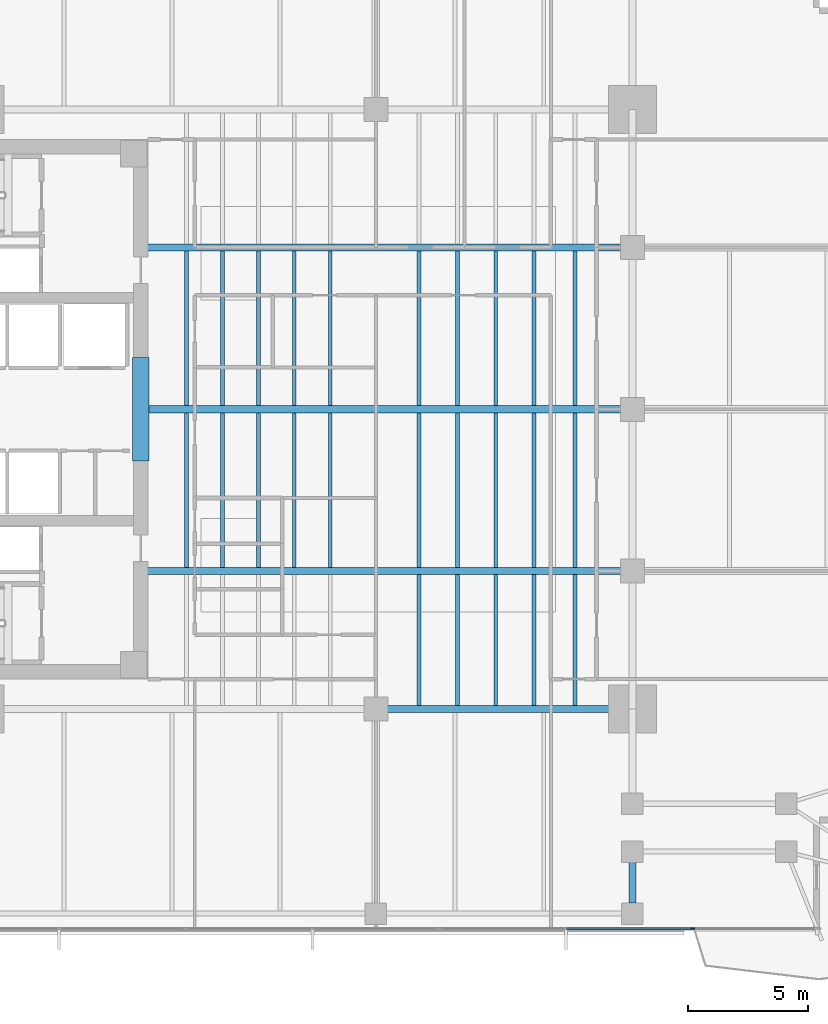
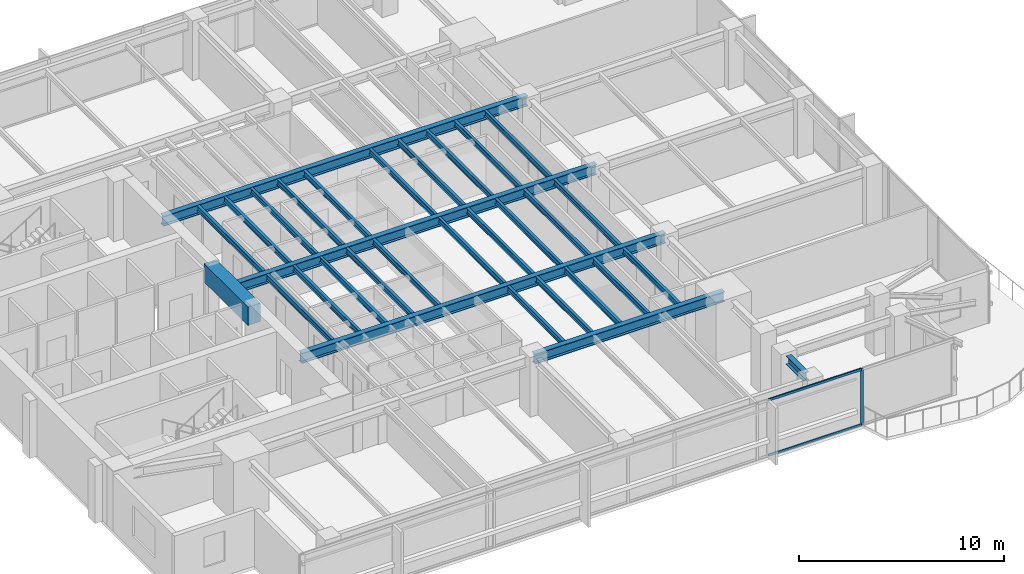
# One storey, part 3 of 14: 31 beams, 3 members, 1 element without a shape of its own.
"""IFC4 building model written with IfcOpenShell, lengths in metres."""

from ifc_helpers import new_model, si_unit, direction, frame, origin, origin_2d, place, context, subcontext, project, spatial, rectangle, i_section, extrude, material, layer, layer_set, material_profile, profile_set, type_object, element, aggregate, save


model = new_model("IFC4")

# Units and contexts
model_context = context("Model", 3, precision=1e-05, world=origin(), true_north=direction((0.0, 1.0)))
body_context = subcontext(model_context, "Body", "Model", "MODEL_VIEW")
ifc_project = project(units=[si_unit("LENGTHUNIT", "METRE"), si_unit("AREAUNIT", "SQUARE_METRE"), si_unit("VOLUMEUNIT", "CUBIC_METRE"), si_unit("PLANEANGLEUNIT", "RADIAN"), si_unit("MASSUNIT", "GRAM", prefix="KILO")], contexts=[model_context])

# Site, building, storey
site_placement = place(None, origin())
site = spatial("IfcSite", under=ifc_project, at=site_placement, CompositionType="ELEMENT")
building_placement = place(site_placement, origin())
building = spatial("IfcBuilding", under=site, at=building_placement, Name="Kinhvarn Gate Tower", CompositionType="ELEMENT")
storey_placement = place(building_placement, frame((0.0, 0.0, 155.5)))
storey = spatial("IfcBuildingStorey", under=building, at=storey_placement, Name="L41", CompositionType="ELEMENT", Elevation=155.5)

# Beam
ifc_material_1 = material(Name="Concrete C70/85", Category="concrete")
ifc_material_profile_1 = material_profile(ifc_material_1, rectangle(XDim=0.699951171875, YDim=1.10009765625, at=origin_2d()), Name="RC 700x1100")
ifc_profile_set_1 = profile_set([ifc_material_profile_1], Name="Concrete C70/85")
beam_type_1 = type_object("IfcBeamType", Name="BM-CB-1100", PredefinedType="LINTEL", material=ifc_profile_set_1)
beam_1_placement = place(storey_placement, frame((17.699951171875, 23.10009765625, 2.820068359375), z_axis=(0.0, 1.0, 0.0), x_axis=(-1.0, 0.0, 0.0)))
element("IfcBeam", 1, at=beam_1_placement, inside=storey, type_object=beam_type_1, Name="Core East Portal Coupling Beam L41", PredefinedType="LINTEL", context=body_context, shape_type="SweptSolid", body=[
    extrude(rectangle(XDim=0.699951171875, YDim=1.10009765625, at=origin_2d()), origin(), (0.0, 0.0, 1.0), 4.2998046875),
])

# Curtain wall, members
ifc_material_2 = material(Name="Anodised aluminium AW-6063", Category="aluminium")
ifc_layer = layer(ifc_material_2, 0.179931640625)
ifc_layer_set = layer_set([ifc_layer], Name="Anodised aluminium AW-6063")
curtain_wall_type = type_object("IfcCurtainWallType", Name="CW-SYS-3", PredefinedType="NOTDEFINED", material=ifc_layer_set)
curtain_wall_placement = place(storey_placement, origin())
curtain_wall = element("IfcCurtainWall", 2, at=curtain_wall_placement, inside=storey, type_object=curtain_wall_type, Name="Curtain Wall CW3 (L41)", PredefinedType="NOTDEFINED")
ifc_material_profile_2 = material_profile(ifc_material_2, rectangle(XDim=0.06494140625, YDim=0.159912109375, at=origin_2d()), Name="ALU 65x160")
ifc_profile_set_2 = profile_set([ifc_material_profile_2], Name="Anodised aluminium AW-6063")
member_type_1 = type_object("IfcMemberType", Name="CW-MUL-160", PredefinedType="MULLION", material=ifc_profile_set_2)
member_1_placement = place(storey_placement, frame((40.71435546875, 3.590087890625, 0.0), z_axis=(0.0, 0.0, 1.0), x_axis=(0.0, 1.0, 0.0)))
member_1 = element("IfcMember", 3, at=member_1_placement, type_object=member_type_1, Name="CW3 mullion 7", PredefinedType="MULLION", context=body_context, shape_type="SweptSolid", body=[
    extrude(rectangle(XDim=0.06494140625, YDim=0.159912109375, at=origin_2d()), origin(), (0.0, 0.0, 1.0), 3.3701171875),
])
ifc_material_profile_3 = material_profile(ifc_material_2, rectangle(XDim=0.070068359375, YDim=0.139892578125, at=origin_2d()), Name="ALU 70x140")
ifc_profile_set_3 = profile_set([ifc_material_profile_3], Name="Anodised aluminium AW-6063")
member_type_2 = type_object("IfcMemberType", Name="CW-TRN-140", PredefinedType="USERDEFINED", material=ifc_profile_set_3)
member_2_placement = place(storey_placement, frame((35.461181640625, 3.590087890625, 0.034912109375), z_axis=(1.0, 0.0, 0.0), x_axis=(0.0, 1.0, 0.0)))
member_2 = element("IfcMember", 4, at=member_2_placement, type_object=member_type_2, Name="CW3 transom 6.1", ObjectType="TRANSOM", PredefinedType="USERDEFINED", context=body_context, shape_type="SweptSolid", body=[
    extrude(rectangle(XDim=0.070068359375, YDim=0.139892578125, at=origin_2d()), origin(), (0.0, 0.0, 1.0), 5.220703125),
])
member_3_placement = place(storey_placement, frame((35.461181640625, 3.590087890625, 3.3349609375), z_axis=(1.0, 0.0, 0.0), x_axis=(0.0, 1.0, 0.0)))
member_3 = element("IfcMember", 5, at=member_3_placement, type_object=member_type_2, Name="CW3 transom 6.2", ObjectType="TRANSOM", PredefinedType="USERDEFINED", context=body_context, shape_type="SweptSolid", body=[
    extrude(rectangle(XDim=0.070068359375, YDim=0.139892578125, at=origin_2d()), origin(), (0.0, 0.0, 1.0), 5.220703125),
])
aggregate(curtain_wall, [member_1, member_2, member_3])

# Beams
ifc_material_3 = material(Name="Steel S355", Category="steel")
ifc_material_profile_4 = material_profile(ifc_material_3, i_section(OverallWidth=0.300048828125, OverallDepth=0.5, WebThickness=0.014404296875, FlangeThickness=0.028076171875, at=origin_2d()), Name="HEB 500")
ifc_profile_set_4 = profile_set([ifc_material_profile_4], Name="Steel S355")
beam_type_2 = type_object("IfcBeamType", Name="STL-HEB500", PredefinedType="BEAM", material=ifc_profile_set_4)
beam_2_placement = place(storey_placement, frame((38.199951171875, 4.655029296875, 3.1201171875), z_axis=(0.0, 1.0, 0.0), x_axis=(-1.0, 0.0, 0.0)))
element("IfcBeam", 6, at=beam_2_placement, inside=storey, type_object=beam_type_2, Name="Floor Beam PG-14 (L41 MCE-S-A0)", PredefinedType="BEAM", context=body_context, shape_type="SweptSolid", body=[
    extrude(i_section(OverallWidth=0.300048828125, OverallDepth=0.5, WebThickness=0.014404296875, FlangeThickness=0.028076171875, at=origin_2d()), origin(), (0.0, 0.0, 1.0), 1.7099609375),
])
ifc_material_profile_5 = material_profile(ifc_material_3, i_section(OverallWidth=0.300048828125, OverallDepth=0.60009765625, WebThickness=0.015380859375, FlangeThickness=0.030029296875, at=origin_2d()), Name="HEB 600")
ifc_profile_set_5 = profile_set([ifc_material_profile_5], Name="Steel S355")
beam_type_3 = type_object("IfcBeamType", Name="STL-HEB600", PredefinedType="BEAM", material=ifc_profile_set_5)
beam_3_placement = place(storey_placement, frame((27.5, 12.75, 3.070068359375), z_axis=(1.0, 0.0, 0.0), x_axis=(0.0, 1.0, 0.0)))
element("IfcBeam", 7, at=beam_3_placement, inside=storey, type_object=beam_type_3, Name="Floor Beam PG-16 (L41 MG-S2)", PredefinedType="BEAM", context=body_context, shape_type="SweptSolid", body=[
    extrude(i_section(OverallWidth=0.300048828125, OverallDepth=0.60009765625, WebThickness=0.015380859375, FlangeThickness=0.030029296875, at=origin_2d()), origin(), (0.0, 0.0, 1.0), 10.699951171875),
])
beam_4_placement = place(storey_placement, frame((17.64990234375, 18.5, 3.070068359375), z_axis=(1.0, 0.0, 0.0), x_axis=(0.0, 1.0, 0.0)))
element("IfcBeam", 8, at=beam_4_placement, inside=storey, type_object=beam_type_3, Name="Floor Beam PG-16 (L41 EW1-Y18)", PredefinedType="BEAM", context=body_context, shape_type="SweptSolid", body=[
    extrude(i_section(OverallWidth=0.300048828125, OverallDepth=0.60009765625, WebThickness=0.015380859375, FlangeThickness=0.030029296875, at=origin_2d()), origin(), (0.0, 0.0, 1.0), 20.550048828125),
])
beam_5_placement = place(storey_placement, frame((18.050048828125, 25.25, 3.070068359375), z_axis=(1.0, 0.0, 0.0), x_axis=(0.0, 1.0, 0.0)))
element("IfcBeam", 9, at=beam_5_placement, inside=storey, type_object=beam_type_3, Name="Floor Beam PG-16 (L41 EW1-Y25)", PredefinedType="BEAM", context=body_context, shape_type="SweptSolid", body=[
    extrude(i_section(OverallWidth=0.300048828125, OverallDepth=0.60009765625, WebThickness=0.015380859375, FlangeThickness=0.030029296875, at=origin_2d()), origin(), (0.0, 0.0, 1.0), 20.14990234375),
])
beam_6_placement = place(storey_placement, frame((17.64990234375, 32.0, 3.070068359375), z_axis=(1.0, 0.0, 0.0), x_axis=(0.0, 1.0, 0.0)))
element("IfcBeam", 10, at=beam_6_placement, inside=storey, type_object=beam_type_3, Name="Floor Beam PG-16 (L41 EW1-Y32)", PredefinedType="BEAM", context=body_context, shape_type="SweptSolid", body=[
    extrude(i_section(OverallWidth=0.300048828125, OverallDepth=0.60009765625, WebThickness=0.015380859375, FlangeThickness=0.030029296875, at=origin_2d()), origin(), (0.0, 0.0, 1.0), 20.550048828125),
])
ifc_material_profile_6 = material_profile(ifc_material_3, i_section(OverallWidth=0.159912109375, OverallDepth=0.330078125, WebThickness=0.007568359375, FlangeThickness=0.011474609375, at=origin_2d()), Name="IPE 330")
ifc_profile_set_6 = profile_set([ifc_material_profile_6], Name="Steel S355")
beam_type_4 = type_object("IfcBeamType", Name="STL-IPE330", PredefinedType="JOIST", material=ifc_profile_set_6)
for number, where, z_axis, x_axis, name in (
    (11, (19.60009765625, 18.64990234375, 3.205078125), (0.0, 1.0, 0.0), (-1.0, 0.0, 0.0), "Floor Joist SB-03 (L41 JC-X196-1)"),
    (12, (19.60009765625, 25.39990234375, 3.205078125), (0.0, 1.0, 0.0), (-1.0, 0.0, 0.0), "Floor Joist SB-03 (L41 JC-X196-2)"),
    (13, (21.10009765625, 18.64990234375, 3.205078125), (0.0, 1.0, 0.0), (-1.0, 0.0, 0.0), "Floor Joist SB-03 (L41 JC-X211-1)"),
    (14, (21.10009765625, 25.39990234375, 3.205078125), (0.0, 1.0, 0.0), (-1.0, 0.0, 0.0), "Floor Joist SB-03 (L41 JC-X211-2)"),
    (15, (22.60009765625, 18.64990234375, 3.205078125), (0.0, 1.0, 0.0), (-1.0, 0.0, 0.0), "Floor Joist SB-03 (L41 JC-X226-1)"),
    (16, (22.60009765625, 25.39990234375, 3.205078125), (0.0, 1.0, 0.0), (-1.0, 0.0, 0.0), "Floor Joist SB-03 (L41 JC-X226-2)"),
    (17, (24.10009765625, 18.64990234375, 3.205078125), (0.0, 1.0, 0.0), (-1.0, 0.0, 0.0), "Floor Joist SB-03 (L41 JC-X241-1)"),
    (18, (24.10009765625, 25.39990234375, 3.205078125), (0.0, 1.0, 0.0), (-1.0, 0.0, 0.0), "Floor Joist SB-03 (L41 JC-X241-2)"),
    (19, (25.60009765625, 18.64990234375, 3.205078125), (0.0, 1.0, 0.0), (-1.0, 0.0, 0.0), "Floor Joist SB-03 (L41 JC-X256-1)"),
    (20, (25.60009765625, 25.39990234375, 3.205078125), (0.0, 1.0, 0.0), (-1.0, 0.0, 0.0), "Floor Joist SB-03 (L41 JC-X256-2)"),
):
    element("IfcBeam", number, at=place(storey_placement, frame(where, z_axis=z_axis, x_axis=x_axis)), inside=storey, type_object=beam_type_4, Name=name, PredefinedType="JOIST", context=body_context, shape_type="SweptSolid", body=[
        extrude(i_section(OverallWidth=0.159912109375, OverallDepth=0.330078125, WebThickness=0.007568359375, FlangeThickness=0.011474609375, at=origin_2d()), origin(), (0.0, 0.0, 1.0), 6.4501953125),
    ])
beam_7_placement = place(storey_placement, frame((29.300048828125, 12.89990234375, 3.205078125), z_axis=(0.0, 1.0, 0.0), x_axis=(-1.0, 0.0, 0.0)))
element("IfcBeam", 21, at=beam_7_placement, inside=storey, type_object=beam_type_4, Name="Floor Joist SB-03 (L41 JC-X293-0)", PredefinedType="JOIST", context=body_context, shape_type="SweptSolid", body=[
    extrude(i_section(OverallWidth=0.159912109375, OverallDepth=0.330078125, WebThickness=0.007568359375, FlangeThickness=0.011474609375, at=origin_2d()), origin(), (0.0, 0.0, 1.0), 5.4501953125),
])
for number, where, z_axis, x_axis, name in (
    (22, (29.300048828125, 18.64990234375, 3.205078125), (0.0, 1.0, 0.0), (-1.0, 0.0, 0.0), "Floor Joist SB-03 (L41 JC-X293-1)"),
    (23, (29.300048828125, 25.39990234375, 3.205078125), (0.0, 1.0, 0.0), (-1.0, 0.0, 0.0), "Floor Joist SB-03 (L41 JC-X293-2)"),
):
    element("IfcBeam", number, at=place(storey_placement, frame(where, z_axis=z_axis, x_axis=x_axis)), inside=storey, type_object=beam_type_4, Name=name, PredefinedType="JOIST", context=body_context, shape_type="SweptSolid", body=[
        extrude(i_section(OverallWidth=0.159912109375, OverallDepth=0.330078125, WebThickness=0.007568359375, FlangeThickness=0.011474609375, at=origin_2d()), origin(), (0.0, 0.0, 1.0), 6.4501953125),
    ])
beam_8_placement = place(storey_placement, frame((30.89990234375, 12.89990234375, 3.205078125), z_axis=(0.0, 1.0, 0.0), x_axis=(-1.0, 0.0, 0.0)))
element("IfcBeam", 24, at=beam_8_placement, inside=storey, type_object=beam_type_4, Name="Floor Joist SB-03 (L41 JC-X309-0)", PredefinedType="JOIST", context=body_context, shape_type="SweptSolid", body=[
    extrude(i_section(OverallWidth=0.159912109375, OverallDepth=0.330078125, WebThickness=0.007568359375, FlangeThickness=0.011474609375, at=origin_2d()), origin(), (0.0, 0.0, 1.0), 5.4501953125),
])
for number, where, z_axis, x_axis, name in (
    (25, (30.89990234375, 18.64990234375, 3.205078125), (0.0, 1.0, 0.0), (-1.0, 0.0, 0.0), "Floor Joist SB-03 (L41 JC-X309-1)"),
    (26, (30.89990234375, 25.39990234375, 3.205078125), (0.0, 1.0, 0.0), (-1.0, 0.0, 0.0), "Floor Joist SB-03 (L41 JC-X309-2)"),
):
    element("IfcBeam", number, at=place(storey_placement, frame(where, z_axis=z_axis, x_axis=x_axis)), inside=storey, type_object=beam_type_4, Name=name, PredefinedType="JOIST", context=body_context, shape_type="SweptSolid", body=[
        extrude(i_section(OverallWidth=0.159912109375, OverallDepth=0.330078125, WebThickness=0.007568359375, FlangeThickness=0.011474609375, at=origin_2d()), origin(), (0.0, 0.0, 1.0), 6.4501953125),
    ])
beam_9_placement = place(storey_placement, frame((32.5, 12.89990234375, 3.205078125), z_axis=(0.0, 1.0, 0.0), x_axis=(-1.0, 0.0, 0.0)))
element("IfcBeam", 27, at=beam_9_placement, inside=storey, type_object=beam_type_4, Name="Floor Joist SB-03 (L41 JC-X325-0)", PredefinedType="JOIST", context=body_context, shape_type="SweptSolid", body=[
    extrude(i_section(OverallWidth=0.159912109375, OverallDepth=0.330078125, WebThickness=0.007568359375, FlangeThickness=0.011474609375, at=origin_2d()), origin(), (0.0, 0.0, 1.0), 5.4501953125),
])
for number, where, z_axis, x_axis, name in (
    (28, (32.5, 18.64990234375, 3.205078125), (0.0, 1.0, 0.0), (-1.0, 0.0, 0.0), "Floor Joist SB-03 (L41 JC-X325-1)"),
    (29, (32.5, 25.39990234375, 3.205078125), (0.0, 1.0, 0.0), (-1.0, 0.0, 0.0), "Floor Joist SB-03 (L41 JC-X325-2)"),
):
    element("IfcBeam", number, at=place(storey_placement, frame(where, z_axis=z_axis, x_axis=x_axis)), inside=storey, type_object=beam_type_4, Name=name, PredefinedType="JOIST", context=body_context, shape_type="SweptSolid", body=[
        extrude(i_section(OverallWidth=0.159912109375, OverallDepth=0.330078125, WebThickness=0.007568359375, FlangeThickness=0.011474609375, at=origin_2d()), origin(), (0.0, 0.0, 1.0), 6.4501953125),
    ])
beam_10_placement = place(storey_placement, frame((34.10009765625, 12.89990234375, 3.205078125), z_axis=(0.0, 1.0, 0.0), x_axis=(-1.0, 0.0, 0.0)))
element("IfcBeam", 30, at=beam_10_placement, inside=storey, type_object=beam_type_4, Name="Floor Joist SB-03 (L41 JC-X341-0)", PredefinedType="JOIST", context=body_context, shape_type="SweptSolid", body=[
    extrude(i_section(OverallWidth=0.159912109375, OverallDepth=0.330078125, WebThickness=0.007568359375, FlangeThickness=0.011474609375, at=origin_2d()), origin(), (0.0, 0.0, 1.0), 5.4501953125),
])
for number, where, z_axis, x_axis, name in (
    (31, (34.10009765625, 18.64990234375, 3.205078125), (0.0, 1.0, 0.0), (-1.0, 0.0, 0.0), "Floor Joist SB-03 (L41 JC-X341-1)"),
    (32, (34.10009765625, 25.39990234375, 3.205078125), (0.0, 1.0, 0.0), (-1.0, 0.0, 0.0), "Floor Joist SB-03 (L41 JC-X341-2)"),
):
    element("IfcBeam", number, at=place(storey_placement, frame(where, z_axis=z_axis, x_axis=x_axis)), inside=storey, type_object=beam_type_4, Name=name, PredefinedType="JOIST", context=body_context, shape_type="SweptSolid", body=[
        extrude(i_section(OverallWidth=0.159912109375, OverallDepth=0.330078125, WebThickness=0.007568359375, FlangeThickness=0.011474609375, at=origin_2d()), origin(), (0.0, 0.0, 1.0), 6.4501953125),
    ])
beam_11_placement = place(storey_placement, frame((35.800048828125, 12.89990234375, 3.205078125), z_axis=(0.0, 1.0, 0.0), x_axis=(-1.0, 0.0, 0.0)))
element("IfcBeam", 33, at=beam_11_placement, inside=storey, type_object=beam_type_4, Name="Floor Joist SB-03 (L41 JC-X358-0)", PredefinedType="JOIST", context=body_context, shape_type="SweptSolid", body=[
    extrude(i_section(OverallWidth=0.159912109375, OverallDepth=0.330078125, WebThickness=0.007568359375, FlangeThickness=0.011474609375, at=origin_2d()), origin(), (0.0, 0.0, 1.0), 5.4501953125),
])
for number, where, z_axis, x_axis, name in (
    (34, (35.800048828125, 18.64990234375, 3.205078125), (0.0, 1.0, 0.0), (-1.0, 0.0, 0.0), "Floor Joist SB-03 (L41 JC-X358-1)"),
    (35, (35.800048828125, 25.39990234375, 3.205078125), (0.0, 1.0, 0.0), (-1.0, 0.0, 0.0), "Floor Joist SB-03 (L41 JC-X358-2)"),
):
    element("IfcBeam", number, at=place(storey_placement, frame(where, z_axis=z_axis, x_axis=x_axis)), inside=storey, type_object=beam_type_4, Name=name, PredefinedType="JOIST", context=body_context, shape_type="SweptSolid", body=[
        extrude(i_section(OverallWidth=0.159912109375, OverallDepth=0.330078125, WebThickness=0.007568359375, FlangeThickness=0.011474609375, at=origin_2d()), origin(), (0.0, 0.0, 1.0), 6.4501953125),
    ])

save(model, "model.ifc")
